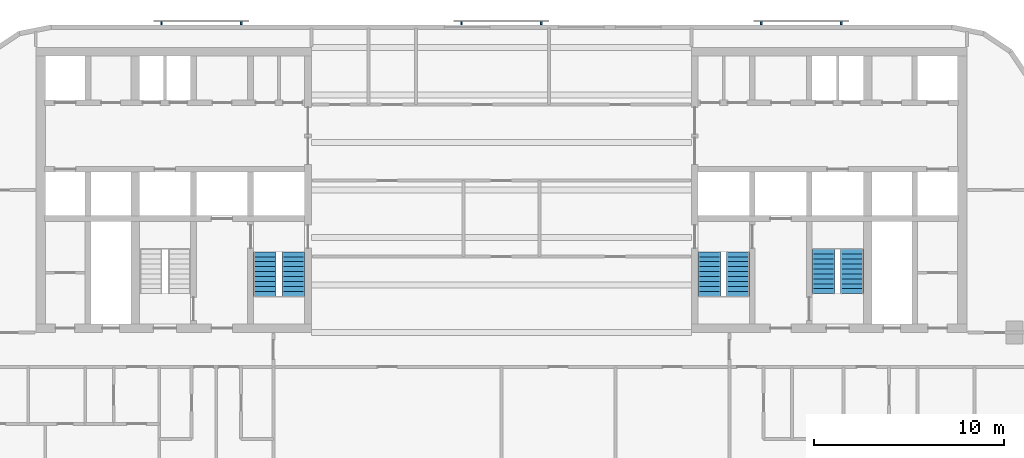
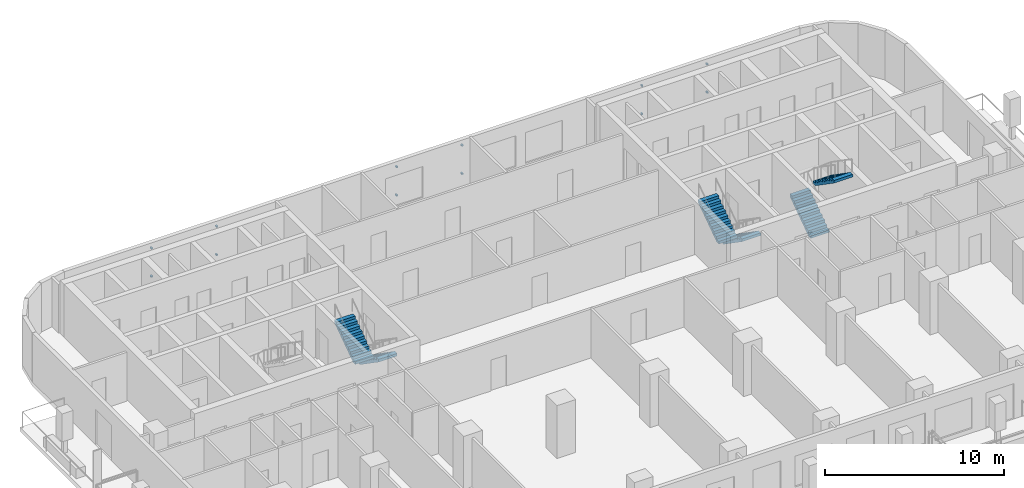
# One storey, part 8 of 11: 12 discrete accessories, 6 stair flights, 3 elements without a shape of their own.
"""IFC4 building model written with IfcOpenShell, lengths in metres."""

from ifc_helpers import new_model, si_unit, direction, frame, origin, origin_2d, place, context, subcontext, project, spatial, polyline, rectangle, outline, extrude, material, type_object, element, aggregate, save


model = new_model("IFC4")

# Units and contexts
model_context = context("Model", 3, precision=1e-05, world=origin(), true_north=direction((0.0, 1.0)))
body_context = subcontext(model_context, "Body", "Model", "MODEL_VIEW")
ifc_project = project(units=[si_unit("LENGTHUNIT", "METRE"), si_unit("AREAUNIT", "SQUARE_METRE"), si_unit("VOLUMEUNIT", "CUBIC_METRE"), si_unit("PLANEANGLEUNIT", "RADIAN"), si_unit("MASSUNIT", "GRAM", prefix="KILO")], contexts=[model_context])

# Site, building, storey
site_placement = place(None, origin())
site = spatial("IfcSite", under=ifc_project, at=site_placement, CompositionType="ELEMENT")
building_placement = place(site_placement, origin())
building = spatial("IfcBuilding", under=site, at=building_placement, Name="Torana Hotel and Residences", CompositionType="ELEMENT")
storey_placement = place(building_placement, frame((0.0, 0.0, 116.39990234375)))
storey = spatial("IfcBuildingStorey", under=building, at=storey_placement, Name="L29", CompositionType="ELEMENT", Elevation=116.39990234375)

# Stair, stair flights
ifc_material_1 = material(Name="Concrete C40/50 precast", Category="concrete")
stair_type_1 = type_object("IfcStairType", Name="STAIR ST1 HALF TURN 1200", PredefinedType="HALF_TURN_STAIR", material=ifc_material_1)
stair_1_placement = place(storey_placement, origin())
stair_1 = element("IfcStair", 1, at=stair_1_placement, inside=storey, type_object=stair_type_1, Name="Stair ST1 L29", PredefinedType="HALF_TURN_STAIR")
ifc_material_2 = material(Name="Concrete C40/50 precast", Category="concrete")
stair_flight_type = type_object("IfcStairFlightType", Name="STAIR FLIGHT 1200 PRECAST", PredefinedType="STRAIGHT", material=ifc_material_2)
stair_flight_1_placement = place(storey_placement, frame((-10.949951171875, -10.75, 0.0), z_axis=(0.0, 0.0, 1.0), x_axis=(0.0, -1.0, 0.0)))
stair_flight_1 = element("IfcStairFlight", 2, at=stair_flight_1_placement, type_object=stair_flight_type, Name="ST1 flight 1", NumberOfRisers=10, NumberOfTreads=9, PredefinedType="STRAIGHT", RiserHeight=0.18, TreadLength=0.26, context=body_context, shape_type="SweptSolid", body=[
    extrude(outline(polyline([(0.0, 0.0), (0.0, 0.179931640625), (0.260009765625, 0.179931640625), (0.260009765625, 0.360107421875), (0.52001953125, 0.360107421875), (0.52001953125, 0.5400390625), (0.780029296875, 0.5400390625), (0.780029296875, 0.719970703125), (1.0400390625, 0.719970703125), (1.0400390625, 0.89990234375), (1.300048828125, 0.89990234375), (1.300048828125, 1.080078125), (1.56005859375, 1.080078125), (1.56005859375, 1.260009765625), (1.820068359375, 1.260009765625), (1.820068359375, 1.43994140625), (2.080078125, 1.43994140625), (2.080078125, 1.6201171875), (2.340087890625, 1.6201171875), (2.340087890625, 1.800048828125), (2.340087890625, 1.437744140625), (0.263427734375, 0.0), (0.0, 0.0)])), frame((0.0, 0.60009765625, 0.0), z_axis=(0.0, -1.0, 0.0), x_axis=(1.0, 0.0, 0.0)), (0.0, 0.0, 1.0), 1.199951171875),
])
stair_flight_2_placement = place(storey_placement, frame((-12.449951171875, -13.090087890625, 1.800048828125), z_axis=(0.0, 0.0, 1.0), x_axis=(0.0, 1.0, 0.0)))
stair_flight_2 = element("IfcStairFlight", 3, at=stair_flight_2_placement, type_object=stair_flight_type, Name="ST1 flight 2", NumberOfRisers=10, NumberOfTreads=9, PredefinedType="STRAIGHT", RiserHeight=0.18, TreadLength=0.26, context=body_context, shape_type="SweptSolid", body=[
    extrude(outline(polyline([(0.0, 0.0), (0.0, 0.179931640625), (0.260009765625, 0.179931640625), (0.260009765625, 0.360107421875), (0.52001953125, 0.360107421875), (0.52001953125, 0.5400390625), (0.780029296875, 0.5400390625), (0.780029296875, 0.719970703125), (1.0400390625, 0.719970703125), (1.0400390625, 0.89990234375), (1.300048828125, 0.89990234375), (1.300048828125, 1.080078125), (1.56005859375, 1.080078125), (1.56005859375, 1.260009765625), (1.820068359375, 1.260009765625), (1.820068359375, 1.43994140625), (2.080078125, 1.43994140625), (2.080078125, 1.6201171875), (2.340087890625, 1.6201171875), (2.340087890625, 1.800048828125), (2.340087890625, 1.437744140625), (0.263427734375, 0.0), (0.0, 0.0)])), frame((0.0, 0.60009765625, 0.0), z_axis=(0.0, -1.0, 0.0), x_axis=(1.0, 0.0, 0.0)), (0.0, 0.0, 1.0), 1.199951171875),
])
aggregate(stair_1, [stair_flight_1, stair_flight_2])

ifc_material_3 = material(Name="Concrete C40/50 precast", Category="concrete")
stair_type_2 = type_object("IfcStairType", Name="STAIR ST3 HALF TURN 1200", PredefinedType="HALF_TURN_STAIR", material=ifc_material_3)
stair_2_placement = place(storey_placement, origin())
stair_2 = element("IfcStair", 4, at=stair_2_placement, inside=storey, type_object=stair_type_2, Name="Stair ST3 L29", PredefinedType="HALF_TURN_STAIR")
stair_flight_3_placement = place(storey_placement, frame((12.449951171875, -10.75, 0.0), z_axis=(0.0, 0.0, 1.0), x_axis=(0.0, -1.0, 0.0)))
stair_flight_3 = element("IfcStairFlight", 5, at=stair_flight_3_placement, type_object=stair_flight_type, Name="ST3 flight 1", NumberOfRisers=10, NumberOfTreads=9, PredefinedType="STRAIGHT", RiserHeight=0.18, TreadLength=0.26, context=body_context, shape_type="SweptSolid", body=[
    extrude(outline(polyline([(0.0, 0.0), (0.0, 0.179931640625), (0.260009765625, 0.179931640625), (0.260009765625, 0.360107421875), (0.52001953125, 0.360107421875), (0.52001953125, 0.5400390625), (0.780029296875, 0.5400390625), (0.780029296875, 0.719970703125), (1.0400390625, 0.719970703125), (1.0400390625, 0.89990234375), (1.300048828125, 0.89990234375), (1.300048828125, 1.080078125), (1.56005859375, 1.080078125), (1.56005859375, 1.260009765625), (1.820068359375, 1.260009765625), (1.820068359375, 1.43994140625), (2.080078125, 1.43994140625), (2.080078125, 1.6201171875), (2.340087890625, 1.6201171875), (2.340087890625, 1.800048828125), (2.340087890625, 1.437744140625), (0.263427734375, 0.0), (0.0, 0.0)])), frame((0.0, 0.60009765625, 0.0), z_axis=(0.0, -1.0, 0.0), x_axis=(1.0, 0.0, 0.0)), (0.0, 0.0, 1.0), 1.199951171875),
])
stair_flight_4_placement = place(storey_placement, frame((10.949951171875, -13.090087890625, 1.800048828125), z_axis=(0.0, 0.0, 1.0), x_axis=(0.0, 1.0, 0.0)))
stair_flight_4 = element("IfcStairFlight", 6, at=stair_flight_4_placement, type_object=stair_flight_type, Name="ST3 flight 2", NumberOfRisers=10, NumberOfTreads=9, PredefinedType="STRAIGHT", RiserHeight=0.18, TreadLength=0.26, context=body_context, shape_type="SweptSolid", body=[
    extrude(outline(polyline([(0.0, 0.0), (0.0, 0.179931640625), (0.260009765625, 0.179931640625), (0.260009765625, 0.360107421875), (0.52001953125, 0.360107421875), (0.52001953125, 0.5400390625), (0.780029296875, 0.5400390625), (0.780029296875, 0.719970703125), (1.0400390625, 0.719970703125), (1.0400390625, 0.89990234375), (1.300048828125, 0.89990234375), (1.300048828125, 1.080078125), (1.56005859375, 1.080078125), (1.56005859375, 1.260009765625), (1.820068359375, 1.260009765625), (1.820068359375, 1.43994140625), (2.080078125, 1.43994140625), (2.080078125, 1.6201171875), (2.340087890625, 1.6201171875), (2.340087890625, 1.800048828125), (2.340087890625, 1.437744140625), (0.263427734375, 0.0), (0.0, 0.0)])), frame((0.0, 0.60009765625, 0.0), z_axis=(0.0, -1.0, 0.0), x_axis=(1.0, 0.0, 0.0)), (0.0, 0.0, 1.0), 1.199951171875),
])
aggregate(stair_2, [stair_flight_3, stair_flight_4])

ifc_material_4 = material(Name="Concrete C40/50 precast", Category="concrete")
stair_type_3 = type_object("IfcStairType", Name="STAIR ST4 HALF TURN 1200", PredefinedType="HALF_TURN_STAIR", material=ifc_material_4)
stair_3_placement = place(storey_placement, origin())
stair_3 = element("IfcStair", 7, at=stair_3_placement, inside=storey, type_object=stair_type_3, Name="Stair ST4 L29", PredefinedType="HALF_TURN_STAIR")
stair_flight_5_placement = place(storey_placement, frame((16.949951171875, -12.949951171875, 0.0), z_axis=(0.0, 0.0, 1.0), x_axis=(0.0, 1.0, 0.0)))
stair_flight_5 = element("IfcStairFlight", 8, at=stair_flight_5_placement, type_object=stair_flight_type, Name="ST4 flight 1", NumberOfRisers=10, NumberOfTreads=9, PredefinedType="STRAIGHT", RiserHeight=0.18, TreadLength=0.26, context=body_context, shape_type="SweptSolid", body=[
    extrude(outline(polyline([(0.0, 0.0), (0.0, 0.179931640625), (0.260009765625, 0.179931640625), (0.260009765625, 0.360107421875), (0.52001953125, 0.360107421875), (0.52001953125, 0.5400390625), (0.780029296875, 0.5400390625), (0.780029296875, 0.719970703125), (1.0400390625, 0.719970703125), (1.0400390625, 0.89990234375), (1.300048828125, 0.89990234375), (1.300048828125, 1.080078125), (1.56005859375, 1.080078125), (1.56005859375, 1.260009765625), (1.820068359375, 1.260009765625), (1.820068359375, 1.43994140625), (2.080078125, 1.43994140625), (2.080078125, 1.6201171875), (2.340087890625, 1.6201171875), (2.340087890625, 1.800048828125), (2.340087890625, 1.437744140625), (0.263427734375, 0.0), (0.0, 0.0)])), frame((0.0, 0.60009765625, 0.0), z_axis=(0.0, -1.0, 0.0), x_axis=(1.0, 0.0, 0.0)), (0.0, 0.0, 1.0), 1.199951171875),
])
stair_flight_6_placement = place(storey_placement, frame((18.449951171875, -10.610107421875, 1.800048828125), z_axis=(0.0, 0.0, 1.0), x_axis=(0.0, -1.0, 0.0)))
stair_flight_6 = element("IfcStairFlight", 9, at=stair_flight_6_placement, type_object=stair_flight_type, Name="ST4 flight 2", NumberOfRisers=10, NumberOfTreads=9, PredefinedType="STRAIGHT", RiserHeight=0.18, TreadLength=0.26, context=body_context, shape_type="SweptSolid", body=[
    extrude(outline(polyline([(0.0, 0.0), (0.0, 0.179931640625), (0.260009765625, 0.179931640625), (0.260009765625, 0.360107421875), (0.52001953125, 0.360107421875), (0.52001953125, 0.5400390625), (0.780029296875, 0.5400390625), (0.780029296875, 0.719970703125), (1.0400390625, 0.719970703125), (1.0400390625, 0.89990234375), (1.300048828125, 0.89990234375), (1.300048828125, 1.080078125), (1.56005859375, 1.080078125), (1.56005859375, 1.260009765625), (1.820068359375, 1.260009765625), (1.820068359375, 1.43994140625), (2.080078125, 1.43994140625), (2.080078125, 1.6201171875), (2.340087890625, 1.6201171875), (2.340087890625, 1.800048828125), (2.340087890625, 1.437744140625), (0.263427734375, 0.0), (0.0, 0.0)])), frame((0.0, 0.60009765625, 0.0), z_axis=(0.0, -1.0, 0.0), x_axis=(1.0, 0.0, 0.0)), (0.0, 0.0, 1.0), 1.199951171875),
])
aggregate(stair_3, [stair_flight_5, stair_flight_6])

# Discrete accessories
ifc_material_5 = material(Name="Steel S355", Category="steel")
discrete_accessory_type = type_object("IfcDiscreteAccessoryType", Name="SCREEN BRACKET 100", PredefinedType="BRACKET", material=ifc_material_5)
for number, where, z_axis, x_axis, name in (
    (10, (17.883544921875, 1.27490234375, 0.75), (0.0, 0.0, 1.0), (-1.0, 0.0, 0.0), "Screen bracket L29"),
    (11, (17.883544921875, 1.27490234375, 2.670166015625), (0.0, 0.0, 1.0), (-1.0, 0.0, 0.0), "Screen bracket L29"),
    (12, (13.68359375, 1.27490234375, 0.75), (0.0, 0.0, 1.0), (-1.0, 0.0, 0.0), "Screen bracket L29"),
    (13, (13.68359375, 1.27490234375, 2.670166015625), (0.0, 0.0, 1.0), (-1.0, 0.0, 0.0), "Screen bracket L29"),
    (14, (2.10009765625, 1.27490234375, 0.75), (0.0, 0.0, 1.0), (-1.0, 0.0, 0.0), "Screen bracket L29"),
    (15, (2.10009765625, 1.27490234375, 2.670166015625), (0.0, 0.0, 1.0), (-1.0, 0.0, 0.0), "Screen bracket L29"),
    (16, (-2.10009765625, 1.27490234375, 0.75), (0.0, 0.0, 1.0), (-1.0, 0.0, 0.0), "Screen bracket L29"),
    (17, (-2.10009765625, 1.27490234375, 2.670166015625), (0.0, 0.0, 1.0), (-1.0, 0.0, 0.0), "Screen bracket L29"),
    (18, (-13.68359375, 1.27490234375, 0.75), (0.0, 0.0, 1.0), (-1.0, 0.0, 0.0), "Screen bracket L29"),
    (19, (-13.68359375, 1.27490234375, 2.670166015625), (0.0, 0.0, 1.0), (-1.0, 0.0, 0.0), "Screen bracket L29"),
    (20, (-17.883544921875, 1.27490234375, 0.75), (0.0, 0.0, 1.0), (-1.0, 0.0, 0.0), "Screen bracket L29"),
    (21, (-17.883544921875, 1.27490234375, 2.670166015625), (0.0, 0.0, 1.0), (-1.0, 0.0, 0.0), "Screen bracket L29"),
):
    element("IfcDiscreteAccessory", number, at=place(storey_placement, frame(where, z_axis=z_axis, x_axis=x_axis)), inside=storey, type_object=discrete_accessory_type, Name=name, PredefinedType="BRACKET", context=body_context, shape_type="SweptSolid", body=[
        extrude(rectangle(XDim=0.10009765625, YDim=0.14990234375, at=origin_2d()), origin(), (0.0, 0.0, 1.0), 0.10009765625),
    ])

save(model, "model.ifc")
